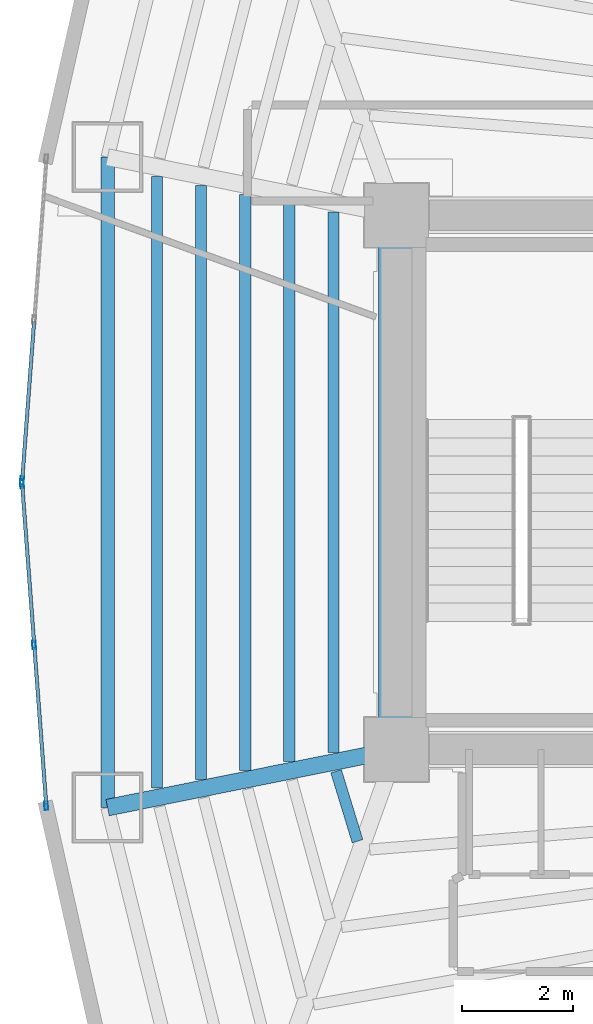
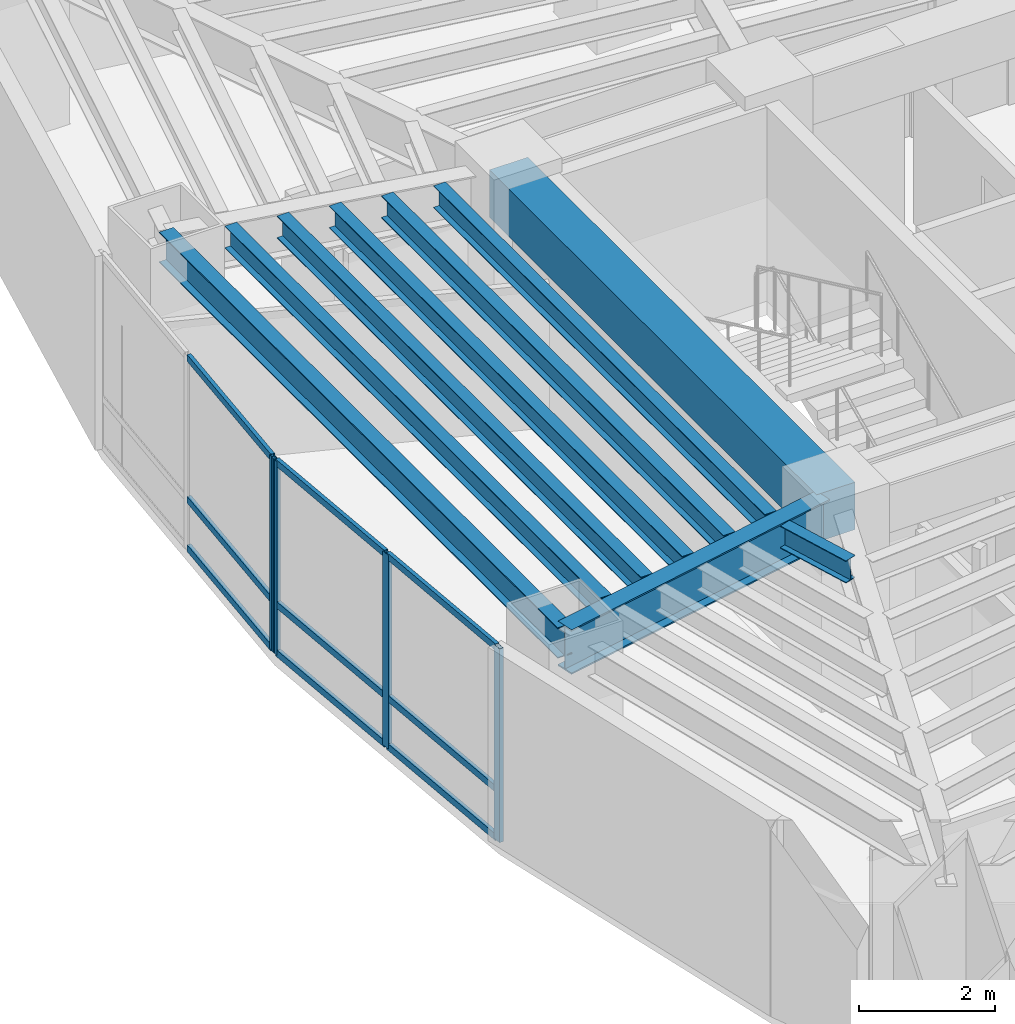
# One storey, part 3 of 19: 13 members, 9 beams, 2 elements without a shape of their own.
"""IFC4 building model written with IfcOpenShell, lengths in metres."""

from ifc_helpers import new_model, si_unit, direction, frame, origin, origin_2d, place, context, subcontext, project, spatial, rectangle, hollow_rectangle, i_section, extrude, material, layer, layer_set, material_profile, profile_set, type_object, element, aggregate, save


model = new_model("IFC4")

# Units and contexts
model_context = context("Model", 3, precision=1e-05, world=origin(), true_north=direction((0.0, 1.0)))
body_context = subcontext(model_context, "Body", "Model", "MODEL_VIEW")
ifc_project = project(units=[si_unit("LENGTHUNIT", "METRE"), si_unit("AREAUNIT", "SQUARE_METRE"), si_unit("VOLUMEUNIT", "CUBIC_METRE"), si_unit("PLANEANGLEUNIT", "RADIAN"), si_unit("MASSUNIT", "GRAM", prefix="KILO")], contexts=[model_context])

# Site, building, storey
site_placement = place(None, origin())
site = spatial("IfcSite", under=ifc_project, at=site_placement, CompositionType="ELEMENT")
building_placement = place(site_placement, origin())
building = spatial("IfcBuilding", under=site, at=building_placement, Name="Menara Vayukalpa", CompositionType="ELEMENT")
storey_placement = place(building_placement, frame((0.0, 0.0, 122.580078125)))
storey = spatial("IfcBuildingStorey", under=building, at=storey_placement, Name="L30", CompositionType="ELEMENT", Elevation=122.580078125)

# Beams
ifc_material_1 = material(Name="Concrete C60/75", Category="concrete")
ifc_material_profile_1 = material_profile(ifc_material_1, rectangle(XDim=0.64990234375, YDim=0.85009765625, at=origin_2d()), Name="RC 650x850")
ifc_profile_set_1 = profile_set([ifc_material_profile_1], Name="Concrete C60/75")
beam_type_1 = type_object("IfcBeamType", Name="BM-CB1", PredefinedType="BEAM", material=ifc_profile_set_1)
beam_1_placement = place(storey_placement, frame((17.800048828125, 17.199951171875, 3.044921875), z_axis=(0.0, 1.0, 0.0), x_axis=(-1.0, 0.0, 0.0)))
element("IfcBeam", 1, at=beam_1_placement, inside=storey, type_object=beam_type_1, Name="L30 Core Tie Beam CBR7", PredefinedType="BEAM", context=body_context, shape_type="SweptSolid", body=[
    extrude(rectangle(XDim=0.64990234375, YDim=0.85009765625, at=origin_2d()), origin(), (0.0, 0.0, 1.0), 9.60009765625),
])
ifc_material_2 = material(Name="Steel S355", Category="steel")
ifc_material_profile_2 = material_profile(ifc_material_2, i_section(OverallWidth=0.300048828125, OverallDepth=0.800048828125, WebThickness=0.013916015625, FlangeThickness=0.02587890625, at=origin_2d()), Name="WF 800x300x14x26")
ifc_profile_set_2 = profile_set([ifc_material_profile_2], Name="Steel S355")
beam_type_2 = type_object("IfcBeamType", Name="BM-PG3", PredefinedType="BEAM", material=ifc_profile_set_2)
beam_2_placement = place(storey_placement, frame((17.554931640625, 17.150634765625, 3.06982421875), z_axis=(-0.980324984906, -0.197390283373, 0.0), x_axis=(0.197390283373, -0.980324984906, 0.0)))
element("IfcBeam", 2, at=beam_2_placement, inside=storey, type_object=beam_type_2, Name="L30 Primary Radial Girder RG06", PredefinedType="BEAM", context=body_context, shape_type="SweptSolid", body=[
    extrude(i_section(OverallWidth=0.300048828125, OverallDepth=0.800048828125, WebThickness=0.013916015625, FlangeThickness=0.02587890625, at=origin_2d()), origin(), (0.0, 0.0, 1.0), 5.047607421875),
])
ifc_material_3 = material(Name="Steel S355", Category="steel")
ifc_material_profile_3 = material_profile(ifc_material_3, i_section(OverallWidth=0.199951171875, OverallDepth=0.39990234375, WebThickness=0.008056640625, FlangeThickness=0.012939453125, at=origin_2d()), Name="WF 400x200x8x13")
ifc_profile_set_3 = profile_set([ifc_material_profile_3], Name="Steel S355")
beam_type_3 = type_object("IfcBeamType", Name="BM-SJ2", PredefinedType="JOIST", material=ifc_profile_set_3)
beam_3_placement = place(storey_placement, frame((16.664306640625, 26.858642578125, 3.27001953125), z_axis=(0.0, -1.0, 0.0), x_axis=(1.0, 0.0, 0.0)))
element("IfcBeam", 3, at=beam_3_placement, inside=storey, type_object=beam_type_3, Name="L30 Secondary Floor Joist SJ05-1", PredefinedType="JOIST", context=body_context, shape_type="SweptSolid", body=[
    extrude(i_section(OverallWidth=0.199951171875, OverallDepth=0.39990234375, WebThickness=0.008056640625, FlangeThickness=0.012939453125, at=origin_2d()), origin(), (0.0, 0.0, 1.0), 9.71728515625),
])
beam_4_placement = place(storey_placement, frame((15.87255859375, 27.01806640625, 3.27001953125), z_axis=(0.0, -1.0, 0.0), x_axis=(1.0, 0.0, 0.0)))
element("IfcBeam", 4, at=beam_4_placement, inside=storey, type_object=beam_type_3, Name="L30 Secondary Floor Joist SJ05-2", PredefinedType="JOIST", context=body_context, shape_type="SweptSolid", body=[
    extrude(i_section(OverallWidth=0.199951171875, OverallDepth=0.39990234375, WebThickness=0.008056640625, FlangeThickness=0.012939453125, at=origin_2d()), origin(), (0.0, 0.0, 1.0), 10.0361328125),
])
beam_5_placement = place(storey_placement, frame((15.080810546875, 27.177490234375, 3.27001953125), z_axis=(0.0, -1.0, 0.0), x_axis=(1.0, 0.0, 0.0)))
element("IfcBeam", 5, at=beam_5_placement, inside=storey, type_object=beam_type_3, Name="L30 Secondary Floor Joist SJ05-3", PredefinedType="JOIST", context=body_context, shape_type="SweptSolid", body=[
    extrude(i_section(OverallWidth=0.199951171875, OverallDepth=0.39990234375, WebThickness=0.008056640625, FlangeThickness=0.012939453125, at=origin_2d()), origin(), (0.0, 0.0, 1.0), 10.35498046875),
])
beam_6_placement = place(storey_placement, frame((14.2890625, 27.3369140625, 3.27001953125), z_axis=(0.0, -1.0, 0.0), x_axis=(1.0, 0.0, 0.0)))
element("IfcBeam", 6, at=beam_6_placement, inside=storey, type_object=beam_type_3, Name="L30 Secondary Floor Joist SJ05-4", PredefinedType="JOIST", context=body_context, shape_type="SweptSolid", body=[
    extrude(i_section(OverallWidth=0.199951171875, OverallDepth=0.39990234375, WebThickness=0.008056640625, FlangeThickness=0.012939453125, at=origin_2d()), origin(), (0.0, 0.0, 1.0), 10.673828125),
])
beam_7_placement = place(storey_placement, frame((13.497314453125, 27.496337890625, 3.27001953125), z_axis=(0.0, -1.0, 0.0), x_axis=(1.0, 0.0, 0.0)))
element("IfcBeam", 7, at=beam_7_placement, inside=storey, type_object=beam_type_3, Name="L30 Secondary Floor Joist SJ05-5", PredefinedType="JOIST", context=body_context, shape_type="SweptSolid", body=[
    extrude(i_section(OverallWidth=0.199951171875, OverallDepth=0.39990234375, WebThickness=0.008056640625, FlangeThickness=0.012939453125, at=origin_2d()), origin(), (0.0, 0.0, 1.0), 10.99267578125),
])
beam_8_placement = place(storey_placement, frame((16.714111328125, 16.808837890625, 3.27001953125), z_axis=(0.292651981473, -0.956219021846, 0.0), x_axis=(0.956219021846, 0.292651981473, 0.0)))
element("IfcBeam", 8, at=beam_8_placement, inside=storey, type_object=beam_type_3, Name="L30 Secondary Floor Joist SJ06-1", PredefinedType="JOIST", context=body_context, shape_type="SweptSolid", body=[
    extrude(i_section(OverallWidth=0.199951171875, OverallDepth=0.39990234375, WebThickness=0.008056640625, FlangeThickness=0.012939453125, at=origin_2d()), origin(), (0.0, 0.0, 1.0), 1.31640625),
])
ifc_material_4 = material(Name="Steel S355", Category="steel")
ifc_material_profile_4 = material_profile(ifc_material_4, i_section(OverallWidth=0.239990234375, OverallDepth=0.550048828125, WebThickness=0.010986328125, FlangeThickness=0.01904296875, at=origin_2d()), Name="WF 550x240x11x19")
ifc_profile_set_4 = profile_set([ifc_material_profile_4], Name="Steel S355")
beam_type_4 = type_object("IfcBeamType", Name="BM-SP2", PredefinedType="SPANDREL", material=ifc_profile_set_4)
beam_9_placement = place(storey_placement, frame((12.606689453125, 27.845703125, 3.19482421875), z_axis=(0.0, -1.0, 0.0), x_axis=(1.0, 0.0, 0.0)))
element("IfcBeam", 9, at=beam_9_placement, inside=storey, type_object=beam_type_4, Name="L30 Perimeter Spandrel Beam SP05", PredefinedType="SPANDREL", context=body_context, shape_type="SweptSolid", body=[
    extrude(i_section(OverallWidth=0.239990234375, OverallDepth=0.550048828125, WebThickness=0.010986328125, FlangeThickness=0.01904296875, at=origin_2d()), origin(), (0.0, 0.0, 1.0), 11.69140625),
])

# Curtain wall, member
ifc_material_5 = material(Name="Anodised Terracotta Aluminium Alloy 6063-T6", Category="masonry")
ifc_layer = layer(ifc_material_5, 0.14990234375)
ifc_layer_set = layer_set([ifc_layer], Name="Anodised Terracotta Aluminium Alloy 6063-T6")
curtain_wall_type = type_object("IfcCurtainWallType", Name="CW-CW3", PredefinedType="USERDEFINED", material=ifc_layer_set)
curtain_wall_1_placement = place(storey_placement, origin())
curtain_wall_1 = element("IfcCurtainWall", 10, at=curtain_wall_1_placement, inside=storey, type_object=curtain_wall_type, Name="L30 Mid Rise Terracotta Ribbon Curtain Wall CW3 10", ObjectType="UNITISED", PredefinedType="USERDEFINED")
ifc_material_6 = material(Name="Anodised Terracotta Aluminium Alloy 6063-T6", Category="masonry")
ifc_material_profile_5 = material_profile(ifc_material_6, hollow_rectangle(XDim=0.06494140625, YDim=0.14990234375, WallThickness=0.00341796875, at=origin_2d()), Name="ALU 65x150x3.5")
ifc_profile_set_5 = profile_set([ifc_material_profile_5], Name="Anodised Terracotta Aluminium Alloy 6063-T6")
member_type_1 = type_object("IfcMemberType", Name="CWM-CW3", PredefinedType="MULLION", material=ifc_profile_set_5)
member_1_placement = place(storey_placement, frame((11.070556640625, 22.032470703125, 0.0), z_axis=(0.0, 0.0, 1.0), x_axis=(0.997199659745, -0.07478528334, 0.0)))
member_1 = element("IfcMember", 11, at=member_1_placement, type_object=member_type_1, Name="CW3 mullion 3", PredefinedType="MULLION", context=body_context, shape_type="SweptSolid", body=[
    extrude(hollow_rectangle(XDim=0.06494140625, YDim=0.14990234375, WallThickness=0.00341796875, at=origin_2d()), origin(), (0.0, 0.0, 1.0), 3.469970703125),
])

# Curtain wall, members
curtain_wall_2_placement = place(storey_placement, origin())
curtain_wall_2 = element("IfcCurtainWall", 12, at=curtain_wall_2_placement, inside=storey, type_object=curtain_wall_type, Name="L30 Mid Rise Terracotta Ribbon Curtain Wall CW3 11", ObjectType="UNITISED", PredefinedType="USERDEFINED")
member_2_placement = place(storey_placement, frame((11.070556640625, 21.967529296875, 0.0), z_axis=(0.0, 0.0, 1.0), x_axis=(0.997199659745, 0.07478528334, 0.0)))
member_2 = element("IfcMember", 13, at=member_2_placement, type_object=member_type_1, Name="CW3 mullion 1", PredefinedType="MULLION", context=body_context, shape_type="SweptSolid", body=[
    extrude(hollow_rectangle(XDim=0.06494140625, YDim=0.14990234375, WallThickness=0.00341796875, at=origin_2d()), origin(), (0.0, 0.0, 1.0), 3.469970703125),
])
member_3_placement = place(storey_placement, frame((11.287353515625, 19.0771484375, 0.0), z_axis=(0.0, 0.0, 1.0), x_axis=(0.997199659745, 0.07478528334, 0.0)))
member_3 = element("IfcMember", 14, at=member_3_placement, type_object=member_type_1, Name="CW3 mullion 2", PredefinedType="MULLION", context=body_context, shape_type="SweptSolid", body=[
    extrude(hollow_rectangle(XDim=0.06494140625, YDim=0.14990234375, WallThickness=0.00341796875, at=origin_2d()), origin(), (0.0, 0.0, 1.0), 3.469970703125),
])
member_4_placement = place(storey_placement, frame((11.504150390625, 16.186767578125, 0.0), z_axis=(0.0, 0.0, 1.0), x_axis=(0.997199659745, 0.07478528334, 0.0)))
member_4 = element("IfcMember", 15, at=member_4_placement, type_object=member_type_1, Name="CW3 mullion 3", PredefinedType="MULLION", context=body_context, shape_type="SweptSolid", body=[
    extrude(hollow_rectangle(XDim=0.06494140625, YDim=0.14990234375, WallThickness=0.00341796875, at=origin_2d()), origin(), (0.0, 0.0, 1.0), 3.469970703125),
])

# Member
ifc_material_7 = material(Name="Anodised Terracotta Aluminium Alloy 6063-T6", Category="masonry")
ifc_material_profile_6 = material_profile(ifc_material_7, hollow_rectangle(XDim=0.06494140625, YDim=0.1201171875, WallThickness=0.00341796875, at=origin_2d()), Name="ALU 65x120x3.5")
ifc_profile_set_6 = profile_set([ifc_material_profile_6], Name="Anodised Terracotta Aluminium Alloy 6063-T6")
member_type_2 = type_object("IfcMemberType", Name="CWT-CW3", PredefinedType="USERDEFINED", material=ifc_profile_set_6)
member_5_placement = place(storey_placement, frame((11.284912109375, 24.890380859375, 0.032470703125), z_axis=(-0.074785664408, -0.997199631167, 0.0), x_axis=(0.997199631167, -0.074785664408, 0.0)))
member_5 = element("IfcMember", 16, at=member_5_placement, type_object=member_type_2, Name="CW3 transom 2.1", ObjectType="TRANSOM", PredefinedType="USERDEFINED", context=body_context, shape_type="SweptSolid", body=[
    extrude(hollow_rectangle(XDim=0.06494140625, YDim=0.1201171875, WallThickness=0.00341796875, at=origin_2d()), origin(), (0.0, 0.0, 1.0), 2.833740234375),
])

member_6_placement = place(storey_placement, frame((11.284912109375, 24.890380859375, 0.89990234375), z_axis=(-0.074785664408, -0.997199631167, 0.0), x_axis=(0.997199631167, -0.074785664408, 0.0)))
member_6 = element("IfcMember", 17, at=member_6_placement, type_object=member_type_2, Name="CW3 transom 2.2", ObjectType="TRANSOM", PredefinedType="USERDEFINED", context=body_context, shape_type="SweptSolid", body=[
    extrude(hollow_rectangle(XDim=0.06494140625, YDim=0.1201171875, WallThickness=0.00341796875, at=origin_2d()), origin(), (0.0, 0.0, 1.0), 2.833740234375),
])

member_7_placement = place(storey_placement, frame((11.284912109375, 24.890380859375, 3.4375), z_axis=(-0.074785664408, -0.997199631167, 0.0), x_axis=(0.997199631167, -0.074785664408, 0.0)))
member_7 = element("IfcMember", 18, at=member_7_placement, type_object=member_type_2, Name="CW3 transom 2.3", ObjectType="TRANSOM", PredefinedType="USERDEFINED", context=body_context, shape_type="SweptSolid", body=[
    extrude(hollow_rectangle(XDim=0.06494140625, YDim=0.1201171875, WallThickness=0.00341796875, at=origin_2d()), origin(), (0.0, 0.0, 1.0), 2.833740234375),
])

aggregate(curtain_wall_1, [member_1, member_5, member_6, member_7])

member_8_placement = place(storey_placement, frame((11.072998046875, 21.935302734375, 0.032470703125), z_axis=(0.074785664408, -0.997199631167, 0.0), x_axis=(0.997199631167, 0.074785664408, 0.0)))
member_8 = element("IfcMember", 19, at=member_8_placement, type_object=member_type_2, Name="CW3 transom 1.1", ObjectType="TRANSOM", PredefinedType="USERDEFINED", context=body_context, shape_type="SweptSolid", body=[
    extrude(hollow_rectangle(XDim=0.06494140625, YDim=0.1201171875, WallThickness=0.00341796875, at=origin_2d()), origin(), (0.0, 0.0, 1.0), 2.833740234375),
])

member_9_placement = place(storey_placement, frame((11.072998046875, 21.935302734375, 0.89990234375), z_axis=(0.074785664408, -0.997199631167, 0.0), x_axis=(0.997199631167, 0.074785664408, 0.0)))
member_9 = element("IfcMember", 20, at=member_9_placement, type_object=member_type_2, Name="CW3 transom 1.2", ObjectType="TRANSOM", PredefinedType="USERDEFINED", context=body_context, shape_type="SweptSolid", body=[
    extrude(hollow_rectangle(XDim=0.06494140625, YDim=0.1201171875, WallThickness=0.00341796875, at=origin_2d()), origin(), (0.0, 0.0, 1.0), 2.833740234375),
])

member_10_placement = place(storey_placement, frame((11.072998046875, 21.935302734375, 3.4375), z_axis=(0.074785664408, -0.997199631167, 0.0), x_axis=(0.997199631167, 0.074785664408, 0.0)))
member_10 = element("IfcMember", 21, at=member_10_placement, type_object=member_type_2, Name="CW3 transom 1.3", ObjectType="TRANSOM", PredefinedType="USERDEFINED", context=body_context, shape_type="SweptSolid", body=[
    extrude(hollow_rectangle(XDim=0.06494140625, YDim=0.1201171875, WallThickness=0.00341796875, at=origin_2d()), origin(), (0.0, 0.0, 1.0), 2.833740234375),
])

member_11_placement = place(storey_placement, frame((11.289794921875, 19.044677734375, 0.032470703125), z_axis=(0.074792090342, -0.997199149229, 0.0), x_axis=(0.997199149229, 0.074792090342, 0.0)))
member_11 = element("IfcMember", 22, at=member_11_placement, type_object=member_type_2, Name="CW3 transom 2.1", ObjectType="TRANSOM", PredefinedType="USERDEFINED", context=body_context, shape_type="SweptSolid", body=[
    extrude(hollow_rectangle(XDim=0.06494140625, YDim=0.1201171875, WallThickness=0.00341796875, at=origin_2d()), origin(), (0.0, 0.0, 1.0), 2.83349609375),
])

member_12_placement = place(storey_placement, frame((11.289794921875, 19.044677734375, 0.89990234375), z_axis=(0.074792090342, -0.997199149229, 0.0), x_axis=(0.997199149229, 0.074792090342, 0.0)))
member_12 = element("IfcMember", 23, at=member_12_placement, type_object=member_type_2, Name="CW3 transom 2.2", ObjectType="TRANSOM", PredefinedType="USERDEFINED", context=body_context, shape_type="SweptSolid", body=[
    extrude(hollow_rectangle(XDim=0.06494140625, YDim=0.1201171875, WallThickness=0.00341796875, at=origin_2d()), origin(), (0.0, 0.0, 1.0), 2.83349609375),
])

member_13_placement = place(storey_placement, frame((11.289794921875, 19.044677734375, 3.4375), z_axis=(0.074792090342, -0.997199149229, 0.0), x_axis=(0.997199149229, 0.074792090342, 0.0)))
member_13 = element("IfcMember", 24, at=member_13_placement, type_object=member_type_2, Name="CW3 transom 2.3", ObjectType="TRANSOM", PredefinedType="USERDEFINED", context=body_context, shape_type="SweptSolid", body=[
    extrude(hollow_rectangle(XDim=0.06494140625, YDim=0.1201171875, WallThickness=0.00341796875, at=origin_2d()), origin(), (0.0, 0.0, 1.0), 2.83349609375),
])

aggregate(curtain_wall_2, [member_2, member_3, member_4, member_8, member_9, member_10, member_11, member_12, member_13])

save(model, "model.ifc")
